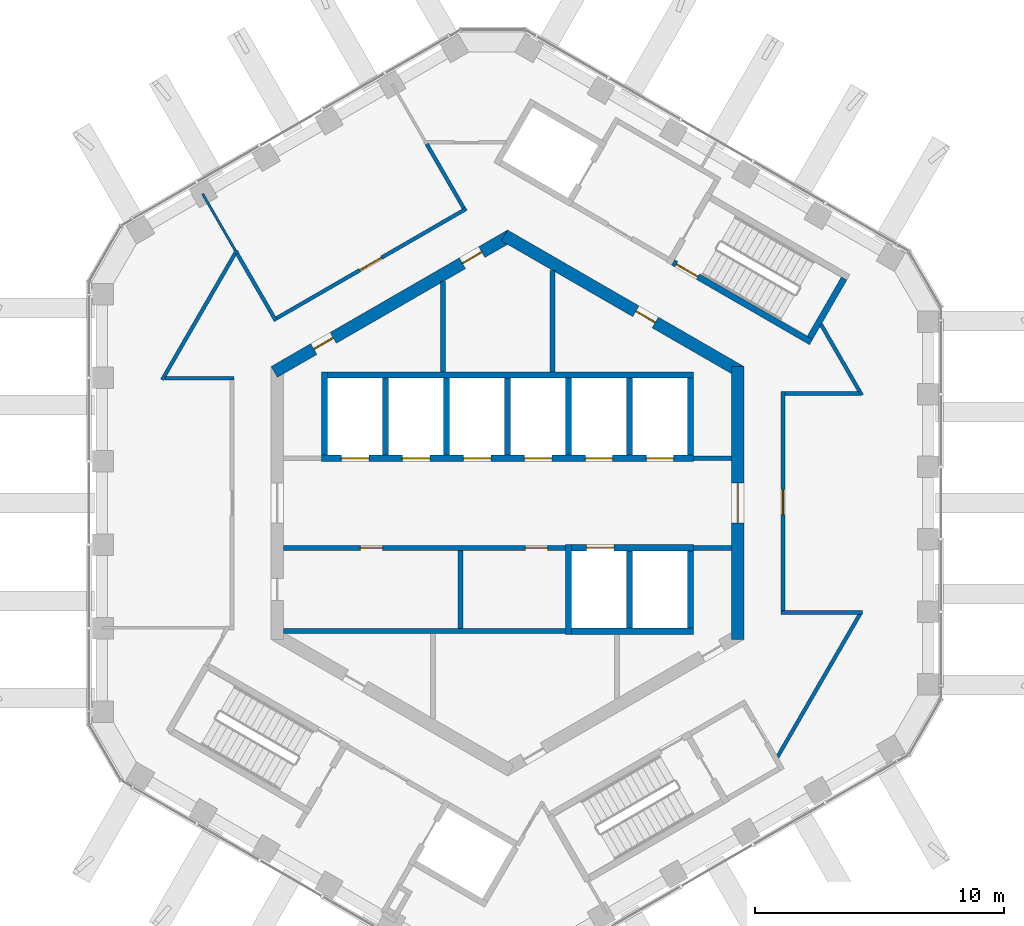
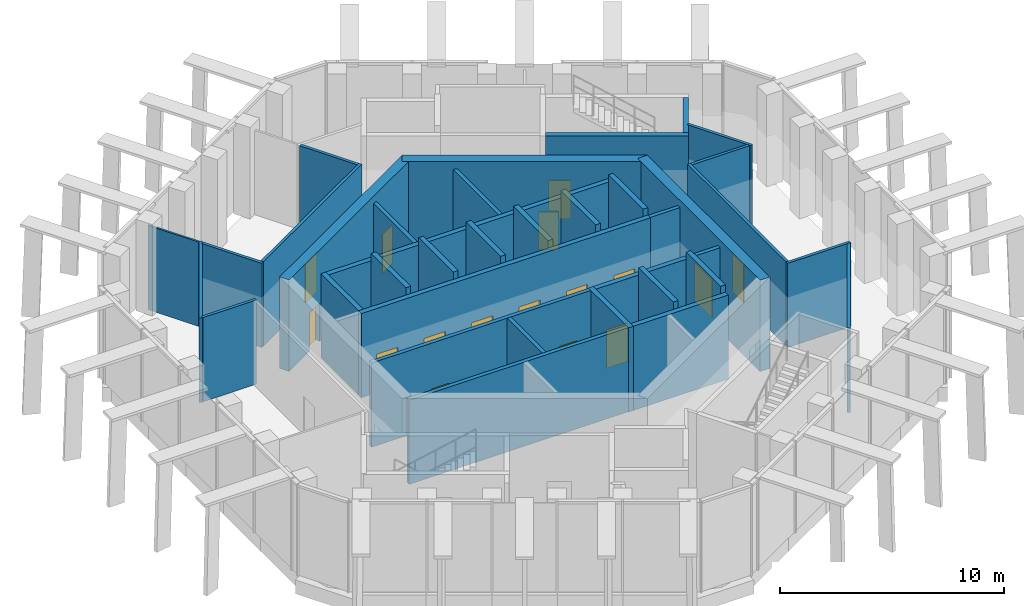
# One storey, part 12 of 17: 37 walls, 16 doors, 16 openings.
"""IFC4 building model written with IfcOpenShell, lengths in metres."""

from ifc_helpers import new_model, si_unit, direction, frame, frame_2d, origin, place, context, subcontext, project, spatial, rectangle, extrude, material, layer, layer_set, type_object, element, fill, save


model = new_model("IFC4")

# Units and contexts
model_context = context("Model", 3, precision=1e-05, world=origin(), true_north=direction((0.0, 1.0)))
body_context = subcontext(model_context, "Body", "Model", "MODEL_VIEW")
ifc_project = project(units=[si_unit("LENGTHUNIT", "METRE"), si_unit("AREAUNIT", "SQUARE_METRE"), si_unit("VOLUMEUNIT", "CUBIC_METRE"), si_unit("PLANEANGLEUNIT", "RADIAN"), si_unit("MASSUNIT", "GRAM", prefix="KILO")], contexts=[model_context])

# Site, building, storey
site_placement = place(None, origin())
site = spatial("IfcSite", under=ifc_project, at=site_placement, CompositionType="ELEMENT")
building_placement = place(site_placement, origin())
building = spatial("IfcBuilding", under=site, at=building_placement, Name="Ayvan Gate Tower", CompositionType="ELEMENT")
storey_placement = place(building_placement, frame((0.0, 0.0, 252.89990234375)))
storey = spatial("IfcBuildingStorey", under=building, at=storey_placement, Name="L68", CompositionType="ELEMENT", Elevation=252.89990234375)

# Wall, opening, door
ifc_material_1 = material(Name="Concrete C60/75", Category="concrete")
ifc_layer_1 = layer(ifc_material_1, 0.5)
ifc_layer_set_1 = layer_set([ifc_layer_1], Name="Concrete C60/75")
wall_type_1 = type_object("IfcWallType", Name="Core wall 500 C60/75", PredefinedType="SHEAR", material=ifc_layer_set_1)
wall_1_placement = place(storey_placement, frame((9.25, -5.48486328125, 0.0), z_axis=(0.0, 0.0, 1.0), x_axis=(0.0, 1.0, 0.0)))
wall_1 = element("IfcWall", 1, at=wall_1_placement, inside=storey, type_object=wall_type_1, Name="CORE-L68-0", PredefinedType="SHEAR", context=body_context, shape_type="SweptSolid", body=[
    extrude(rectangle(XDim=10.9697265625, YDim=0.5, at=frame_2d((5.48486328125, 0.0))), origin(), (0.0, 0.0, 1.0), 5.0),
])
opening_1_placement = place(wall_1_placement, frame((4.684814453125, 0.0, 0.0)))
opening_1 = element("IfcOpeningElement", 2, at=opening_1_placement, cuts=wall_1, Name="Opening L68-D34", PredefinedType="OPENING", context=body_context, shape_type="SweptSolid", body=[
    extrude(rectangle(XDim=1.60009765625, YDim=2.10009765625, at=frame_2d((0.800048828125, 1.050048828125))), frame((0.0, 0.260009765625, 0.0), z_axis=(0.0, -1.0, 0.0), x_axis=(1.0, 0.0, 0.0)), (0.0, 0.0, 1.0), 0.52001953125),
])
ifc_material_2 = material(Name="Timber door leaf", Category="wood")
door_type_1 = type_object("IfcDoorType", Name="DT-1600", OperationType="NOTDEFINED", PredefinedType="DOOR", material=ifc_material_2)
door_1_placement = place(opening_1_placement, origin())
door_1 = element("IfcDoor", 3, at=door_1_placement, inside=storey, type_object=door_type_1, Name="CD-L68-34", OperationType="SINGLE_SWING_RIGHT", OverallHeight=2.10009765625, OverallWidth=1.60009765625, PredefinedType="DOOR", context=body_context, shape_type="SweptSolid", body=[
    extrude(rectangle(XDim=1.60009765625, YDim=2.10009765625, at=frame_2d((0.800048828125, 1.050048828125))), frame((0.0, 0.02490234375, 0.0), z_axis=(0.0, -1.0, 0.0), x_axis=(1.0, 0.0, 0.0)), (0.0, 0.0, 1.0), 0.050048828125),
])
fill(opening_1, door_1)

wall_2_placement = place(storey_placement, frame((9.375, 5.268310546875, 0.0), z_axis=(0.0, 0.0, 1.0), x_axis=(-0.866023993627, 0.500002442456, 0.0)))
wall_2 = element("IfcWall", 4, at=wall_2_placement, inside=storey, type_object=wall_type_1, Name="CORE-L68-1", PredefinedType="SHEAR", context=body_context, shape_type="SweptSolid", body=[
    extrude(rectangle(XDim=10.9697265625, YDim=0.5, at=frame_2d((5.48486328125, 0.0))), origin(), (0.0, 0.0, 1.0), 5.0),
])
opening_2_placement = place(wall_2_placement, frame((3.97314453125, 0.0, 0.0)))
opening_2 = element("IfcOpeningElement", 5, at=opening_2_placement, cuts=wall_2, Name="Opening L68-D29", PredefinedType="OPENING", context=body_context, shape_type="SweptSolid", body=[
    extrude(rectangle(XDim=0.89990234375, YDim=2.10009765625, at=frame_2d((0.449951171875, 1.050048828125))), frame((0.0, 0.260009765625, 0.0), z_axis=(0.0, -1.0, 0.0), x_axis=(1.0, 0.0, 0.0)), (0.0, 0.0, 1.0), 0.52001953125),
])
door_type_2 = type_object("IfcDoorType", Name="DT-900", OperationType="NOTDEFINED", PredefinedType="DOOR", material=ifc_material_2)
door_2_placement = place(opening_2_placement, origin())
door_2 = element("IfcDoor", 6, at=door_2_placement, inside=storey, type_object=door_type_2, Name="CD-L68-29", OperationType="SINGLE_SWING_LEFT", OverallHeight=2.10009765625, OverallWidth=0.89990234375, PredefinedType="DOOR", context=body_context, shape_type="SweptSolid", body=[
    extrude(rectangle(XDim=0.89990234375, YDim=2.10009765625, at=frame_2d((0.449951171875, 1.050048828125))), frame((0.0, 0.02490234375, 0.0), z_axis=(0.0, -1.0, 0.0), x_axis=(1.0, 0.0, 0.0)), (0.0, 0.0, 1.0), 0.050048828125),
])
fill(opening_2, door_2)

# Wall, openings, doors
wall_3_placement = place(storey_placement, frame((0.125, 10.753173828125, 0.0), z_axis=(0.0, 0.0, 1.0), x_axis=(-0.866023993627, -0.500002442456, 0.0)))
wall_3 = element("IfcWall", 7, at=wall_3_placement, inside=storey, type_object=wall_type_1, Name="CORE-L68-2", PredefinedType="SHEAR", context=body_context, shape_type="SweptSolid", body=[
    extrude(rectangle(XDim=10.9697265625, YDim=0.5, at=frame_2d((5.48486328125, 0.0))), origin(), (0.0, 0.0, 1.0), 5.0),
])
opening_3_placement = place(wall_3_placement, frame((8.234619140625, 0.0, 0.0)))
opening_3 = element("IfcOpeningElement", 8, at=opening_3_placement, cuts=wall_3, Name="Opening L68-D27", PredefinedType="OPENING", context=body_context, shape_type="SweptSolid", body=[
    extrude(rectangle(XDim=0.89990234375, YDim=2.10009765625, at=frame_2d((0.449951171875, 1.050048828125))), frame((0.0, 0.260009765625, 0.0), z_axis=(0.0, -1.0, 0.0), x_axis=(1.0, 0.0, 0.0)), (0.0, 0.0, 1.0), 0.52001953125),
])
opening_4_placement = place(wall_3_placement, frame((1.34033203125, 0.0, 0.0)))
opening_4 = element("IfcOpeningElement", 9, at=opening_4_placement, cuts=wall_3, Name="Opening L68-D28", PredefinedType="OPENING", context=body_context, shape_type="SweptSolid", body=[
    extrude(rectangle(XDim=0.89990234375, YDim=2.10009765625, at=frame_2d((0.449951171875, 1.050048828125))), frame((0.0, 0.260009765625, 0.0), z_axis=(0.0, -1.0, 0.0), x_axis=(1.0, 0.0, 0.0)), (0.0, 0.0, 1.0), 0.52001953125),
])
door_3_placement = place(opening_3_placement, origin())
door_3 = element("IfcDoor", 10, at=door_3_placement, inside=storey, type_object=door_type_2, Name="CD-L68-27", OperationType="SINGLE_SWING_LEFT", OverallHeight=2.10009765625, OverallWidth=0.89990234375, PredefinedType="DOOR", context=body_context, shape_type="SweptSolid", body=[
    extrude(rectangle(XDim=0.89990234375, YDim=2.10009765625, at=frame_2d((0.449951171875, 1.050048828125))), frame((0.0, 0.02490234375, 0.0), z_axis=(0.0, -1.0, 0.0), x_axis=(1.0, 0.0, 0.0)), (0.0, 0.0, 1.0), 0.050048828125),
])
fill(opening_3, door_3)
door_4_placement = place(opening_4_placement, origin())
door_4 = element("IfcDoor", 11, at=door_4_placement, inside=storey, type_object=door_type_2, Name="CD-L68-28", OperationType="SINGLE_SWING_RIGHT", OverallHeight=2.10009765625, OverallWidth=0.89990234375, PredefinedType="DOOR", context=body_context, shape_type="SweptSolid", body=[
    extrude(rectangle(XDim=0.89990234375, YDim=2.10009765625, at=frame_2d((0.449951171875, 1.050048828125))), frame((0.0, 0.02490234375, 0.0), z_axis=(0.0, -1.0, 0.0), x_axis=(1.0, 0.0, 0.0)), (0.0, 0.0, 1.0), 0.050048828125),
])
fill(opening_4, door_4)

# Walls
ifc_material_3 = material(Name="Plasterboard on steel stud", Category="steel")
ifc_layer_2 = layer(ifc_material_3, 0.14990234375)
ifc_layer_set_2 = layer_set([ifc_layer_2], Name="Plasterboard on steel stud")
wall_type_2 = type_object("IfcWallType", Name="WT-CORR-150", PredefinedType="PARTITIONING", material=ifc_layer_set_2)
wall_4_placement = place(storey_placement, frame((-13.876708984375, 4.951416015625, 0.0), z_axis=(0.0, 0.0, 1.0), x_axis=(0.49999074569, 0.866030746697, 0.0)))
element("IfcWall", 12, at=wall_4_placement, inside=storey, type_object=wall_type_2, Name="IW-L68-000", PredefinedType="PARTITIONING", context=body_context, shape_type="SweptSolid", body=[
    extrude(rectangle(XDim=6.0126953125, YDim=0.14990234375, at=frame_2d((3.00634765625, 0.0))), origin(), (0.0, 0.0, 1.0), 4.60009765625),
])
wall_5_placement = place(storey_placement, frame((-10.9951171875, 5.016357421875, 0.0), z_axis=(0.0, 0.0, 1.0), x_axis=(-1.0, 0.0, 0.0)))
element("IfcWall", 13, at=wall_5_placement, inside=storey, type_object=wall_type_2, Name="IW-L68-008", PredefinedType="PARTITIONING", context=body_context, shape_type="SweptSolid", body=[
    extrude(rectangle(XDim=2.76904296875, YDim=0.14990234375, at=frame_2d((1.384521484375, 0.0))), origin(), (0.0, 0.0, 1.0), 4.60009765625),
])
wall_6_placement = place(storey_placement, frame((-10.870361328125, 10.02880859375, 0.0), z_axis=(0.0, 0.0, 1.0), x_axis=(0.499995170647, -0.866028191995, 0.0)))
element("IfcWall", 14, at=wall_6_placement, inside=storey, type_object=wall_type_2, Name="IW-L68-010", PredefinedType="PARTITIONING", context=body_context, shape_type="SweptSolid", body=[
    extrude(rectangle(XDim=3.12548828125, YDim=0.14990234375, at=frame_2d((1.562744140625, 0.0))), origin(), (0.0, 0.0, 1.0), 4.60009765625),
])

# Wall, opening, door
wall_7_placement = place(storey_placement, frame((-9.2802734375, 7.424560546875, 0.0), z_axis=(0.0, 0.0, 1.0), x_axis=(0.866023408847, 0.500003455318, 0.0)))
wall_7 = element("IfcWall", 15, at=wall_7_placement, inside=storey, type_object=wall_type_2, Name="IW-L68-011", PredefinedType="PARTITIONING", context=body_context, shape_type="SweptSolid", body=[
    extrude(rectangle(XDim=8.79931640625, YDim=0.14990234375, at=frame_2d((4.399658203125, 0.0))), origin(), (0.0, 0.0, 1.0), 4.60009765625),
])
opening_5_placement = place(wall_7_placement, frame((3.862060546875, 0.0, 0.0)))
opening_5 = element("IfcOpeningElement", 16, at=opening_5_placement, cuts=wall_7, Name="Opening L68-D23", PredefinedType="OPENING", context=body_context, shape_type="SweptSolid", body=[
    extrude(rectangle(XDim=1.0, YDim=2.10009765625, at=frame_2d((0.5, 1.050048828125))), frame((0.0, 0.0849609375, 0.0), z_axis=(0.0, -1.0, 0.0), x_axis=(1.0, 0.0, 0.0)), (0.0, 0.0, 1.0), 0.169921875),
])
door_type_3 = type_object("IfcDoorType", Name="DT-1000", OperationType="NOTDEFINED", PredefinedType="DOOR", material=ifc_material_2)
door_5_placement = place(opening_5_placement, origin())
door_5 = element("IfcDoor", 17, at=door_5_placement, inside=storey, type_object=door_type_3, Name="ID-L68-023", OperationType="SINGLE_SWING_LEFT", OverallHeight=2.10009765625, OverallWidth=1.0, PredefinedType="DOOR", context=body_context, shape_type="SweptSolid", body=[
    extrude(rectangle(XDim=1.0, YDim=2.10009765625, at=frame_2d((0.5, 1.050048828125))), frame((0.0, 0.02490234375, 0.0), z_axis=(0.0, -1.0, 0.0), x_axis=(1.0, 0.0, 0.0)), (0.0, 0.0, 1.0), 0.050048828125),
])
fill(opening_5, door_5)

# Walls
wall_8_placement = place(storey_placement, frame((-1.76220703125, 11.851806640625, 0.0), z_axis=(0.0, 0.0, 1.0), x_axis=(-0.50007524384, 0.865981957375, 0.0)))
element("IfcWall", 18, at=wall_8_placement, inside=storey, type_object=wall_type_2, Name="IW-L68-036", PredefinedType="PARTITIONING", context=body_context, shape_type="SweptSolid", body=[
    extrude(rectangle(XDim=2.97509765625, YDim=0.14990234375, at=frame_2d((1.487548828125, 0.0))), origin(), (0.0, 0.0, 1.0), 4.60009765625),
])
wall_9_placement = place(storey_placement, frame((10.9951171875, -4.399658203125, 0.0), z_axis=(0.0, 0.0, 1.0), x_axis=(1.0, 0.0, 0.0)))
element("IfcWall", 19, at=wall_9_placement, inside=storey, type_object=wall_type_2, Name="IW-L68-074", PredefinedType="PARTITIONING", context=body_context, shape_type="SweptSolid", body=[
    extrude(rectangle(XDim=3.275146484375, YDim=0.14990234375, at=frame_2d((1.6376953125, 0.0))), origin(), (0.0, 0.0, 1.0), 4.60009765625),
])

# Wall, opening, door
wall_10_placement = place(storey_placement, frame((11.070068359375, 4.474609375, 0.0), z_axis=(0.0, 0.0, 1.0), x_axis=(0.0, -1.0, 0.0)))
wall_10 = element("IfcWall", 20, at=wall_10_placement, inside=storey, type_object=wall_type_2, Name="IW-L68-075", PredefinedType="PARTITIONING", context=body_context, shape_type="SweptSolid", body=[
    extrude(rectangle(XDim=8.79931640625, YDim=0.14990234375, at=frame_2d((4.399658203125, 0.0))), origin(), (0.0, 0.0, 1.0), 4.60009765625),
])
opening_6_placement = place(wall_10_placement, frame((3.93701171875, 0.0, 0.0)))
opening_6 = element("IfcOpeningElement", 21, at=opening_6_placement, cuts=wall_10, Name="Opening L68-D21", PredefinedType="OPENING", context=body_context, shape_type="SweptSolid", body=[
    extrude(rectangle(XDim=1.0, YDim=2.10009765625, at=frame_2d((0.5, 1.050048828125))), frame((0.0, 0.0849609375, 0.0), z_axis=(0.0, -1.0, 0.0), x_axis=(1.0, 0.0, 0.0)), (0.0, 0.0, 1.0), 0.169921875),
])
door_6_placement = place(opening_6_placement, origin())
door_6 = element("IfcDoor", 22, at=door_6_placement, inside=storey, type_object=door_type_3, Name="ID-L68-021", OperationType="SINGLE_SWING_LEFT", OverallHeight=2.10009765625, OverallWidth=1.0, PredefinedType="DOOR", context=body_context, shape_type="SweptSolid", body=[
    extrude(rectangle(XDim=1.0, YDim=2.10009765625, at=frame_2d((0.5, 1.050048828125))), frame((0.0, 0.02490234375, 0.0), z_axis=(0.0, -1.0, 0.0), x_axis=(1.0, 0.0, 0.0)), (0.0, 0.0, 1.0), 0.050048828125),
])
fill(opening_6, door_6)

# Walls
wall_11_placement = place(storey_placement, frame((12.587158203125, 7.18505859375, 0.0), z_axis=(0.0, 0.0, 1.0), x_axis=(0.50002423369, -0.866011412005, 0.0)))
element("IfcWall", 23, at=wall_11_placement, inside=storey, type_object=wall_type_2, Name="IW-L68-077", PredefinedType="PARTITIONING", context=body_context, shape_type="SweptSolid", body=[
    extrude(rectangle(XDim=3.291259765625, YDim=0.14990234375, at=frame_2d((1.6455078125, 0.0))), origin(), (0.0, 0.0, 1.0), 4.60009765625),
])
wall_12_placement = place(storey_placement, frame((14.120361328125, 4.399658203125, 0.0), z_axis=(0.0, 0.0, 1.0), x_axis=(-1.0, 0.0, 0.0)))
element("IfcWall", 24, at=wall_12_placement, inside=storey, type_object=wall_type_2, Name="IW-L68-079", PredefinedType="PARTITIONING", context=body_context, shape_type="SweptSolid", body=[
    extrude(rectangle(XDim=2.975341796875, YDim=0.14990234375, at=frame_2d((1.48779296875, 0.0))), origin(), (0.0, 0.0, 1.0), 4.60009765625),
])
wall_13_placement = place(storey_placement, frame((14.15771484375, -4.464599609375, 0.0), z_axis=(0.0, 0.0, 1.0), x_axis=(-0.499992313652, -0.866029841454, 0.0)))
element("IfcWall", 25, at=wall_13_placement, inside=storey, type_object=wall_type_2, Name="IW-L68-080", PredefinedType="PARTITIONING", context=body_context, shape_type="SweptSolid", body=[
    extrude(rectangle(XDim=6.63037109375, YDim=0.14990234375, at=frame_2d((3.315185546875, 0.0))), origin(), (0.0, 0.0, 1.0), 4.60009765625),
])
ifc_layer_3 = layer(ifc_material_3, 0.10009765625)
ifc_layer_set_3 = layer_set([ifc_layer_3], Name="Plasterboard on steel stud")
wall_type_3 = type_object("IfcWallType", Name="WT-PART-100", PredefinedType="PARTITIONING", material=ifc_layer_set_3)
wall_14_placement = place(storey_placement, frame((-12.25390625, 12.42529296875, 0.0), z_axis=(0.0, 0.0, 1.0), x_axis=(0.49999161165, -0.866030246746, 0.0)))
element("IfcWall", 26, at=wall_14_placement, inside=storey, type_object=wall_type_3, Name="IW-L68-002", PredefinedType="PARTITIONING", context=body_context, shape_type="SweptSolid", body=[
    extrude(rectangle(XDim=2.6171875, YDim=0.10009765625, at=frame_2d((1.30859375, 0.0))), origin(), (0.0, 0.0, 1.0), 4.60009765625),
])
ifc_layer_4 = layer(ifc_material_3, 0.199951171875)
ifc_layer_set_4 = layer_set([ifc_layer_4], Name="Plasterboard on steel stud")
wall_type_4 = type_object("IfcWallType", Name="WT-RATED-200", PredefinedType="PARTITIONING", material=ifc_layer_set_4)
wall_15_placement = place(storey_placement, frame((-9.0, -5.14990234375, 0.0), z_axis=(0.0, 0.0, 1.0), x_axis=(1.0, 0.0, 0.0)))
element("IfcWall", 27, at=wall_15_placement, inside=storey, type_object=wall_type_4, Name="IW-L68-013", PredefinedType="PARTITIONING", context=body_context, shape_type="SweptSolid", body=[
    extrude(rectangle(XDim=11.3251953125, YDim=0.199951171875, at=frame_2d((5.66259765625, 0.0))), origin(), (0.0, 0.0, 1.0), 4.60009765625),
])
wall_16_placement = place(storey_placement, frame((-2.60009765625, 8.89111328125, 0.0), z_axis=(0.0, 0.0, 1.0), x_axis=(0.0, -1.0, 0.0)))
element("IfcWall", 28, at=wall_16_placement, inside=storey, type_object=wall_type_4, Name="IW-L68-030", PredefinedType="PARTITIONING", context=body_context, shape_type="SweptSolid", body=[
    extrude(rectangle(XDim=3.6162109375, YDim=0.199951171875, at=frame_2d((1.80810546875, 0.0))), origin(), (0.0, 0.0, 1.0), 4.60009765625),
])
wall_17_placement = place(storey_placement, frame((-1.89990234375, -1.89990234375, 0.0), z_axis=(0.0, 0.0, 1.0), x_axis=(0.0, -1.0, 0.0)))
element("IfcWall", 29, at=wall_17_placement, inside=storey, type_object=wall_type_4, Name="IW-L68-034", PredefinedType="PARTITIONING", context=body_context, shape_type="SweptSolid", body=[
    extrude(rectangle(XDim=3.150146484375, YDim=0.199951171875, at=frame_2d((1.5751953125, 0.0))), origin(), (0.0, 0.0, 1.0), 4.60009765625),
])

# Wall, openings, doors
wall_18_placement = place(storey_placement, frame((-9.0, -1.800048828125, 0.0), z_axis=(0.0, 0.0, 1.0), x_axis=(1.0, 0.0, 0.0)))
wall_18 = element("IfcWall", 30, at=wall_18_placement, inside=storey, type_object=wall_type_4, Name="IW-L68-035", PredefinedType="PARTITIONING", context=body_context, shape_type="SweptSolid", body=[
    extrude(rectangle(XDim=11.3251953125, YDim=0.199951171875, at=frame_2d((5.66259765625, 0.0))), origin(), (0.0, 0.0, 1.0), 4.60009765625),
])
opening_7_placement = place(wall_18_placement, frame((3.0849609375, 0.0, 0.0)))
opening_7 = element("IfcOpeningElement", 31, at=opening_7_placement, cuts=wall_18, Name="Opening L68-D08", PredefinedType="OPENING", context=body_context, shape_type="SweptSolid", body=[
    extrude(rectangle(XDim=0.89990234375, YDim=2.10009765625, at=frame_2d((0.449951171875, 1.050048828125))), frame((0.0, 0.10986328125, 0.0), z_axis=(0.0, -1.0, 0.0), x_axis=(1.0, 0.0, 0.0)), (0.0, 0.0, 1.0), 0.219970703125),
])
opening_8_placement = place(wall_18_placement, frame((9.712646484375, 0.0, 0.0)))
opening_8 = element("IfcOpeningElement", 32, at=opening_8_placement, cuts=wall_18, Name="Opening L68-D09", PredefinedType="OPENING", context=body_context, shape_type="SweptSolid", body=[
    extrude(rectangle(XDim=0.89990234375, YDim=2.10009765625, at=frame_2d((0.449951171875, 1.050048828125))), frame((0.0, 0.10986328125, 0.0), z_axis=(0.0, -1.0, 0.0), x_axis=(1.0, 0.0, 0.0)), (0.0, 0.0, 1.0), 0.219970703125),
])
door_7_placement = place(opening_7_placement, origin())
door_7 = element("IfcDoor", 33, at=door_7_placement, inside=storey, type_object=door_type_2, Name="ID-L68-008", OperationType="SINGLE_SWING_RIGHT", OverallHeight=2.10009765625, OverallWidth=0.89990234375, PredefinedType="DOOR", context=body_context, shape_type="SweptSolid", body=[
    extrude(rectangle(XDim=0.89990234375, YDim=2.10009765625, at=frame_2d((0.449951171875, 1.050048828125))), frame((0.0, 0.02490234375, 0.0), z_axis=(0.0, -1.0, 0.0), x_axis=(1.0, 0.0, 0.0)), (0.0, 0.0, 1.0), 0.050048828125),
])
fill(opening_7, door_7)
door_8_placement = place(opening_8_placement, origin())
door_8 = element("IfcDoor", 34, at=door_8_placement, inside=storey, type_object=door_type_2, Name="ID-L68-009", OperationType="SINGLE_SWING_LEFT", OverallHeight=2.10009765625, OverallWidth=0.89990234375, PredefinedType="DOOR", context=body_context, shape_type="SweptSolid", body=[
    extrude(rectangle(XDim=0.89990234375, YDim=2.10009765625, at=frame_2d((0.449951171875, 1.050048828125))), frame((0.0, 0.02490234375, 0.0), z_axis=(0.0, -1.0, 0.0), x_axis=(1.0, 0.0, 0.0)), (0.0, 0.0, 1.0), 0.050048828125),
])
fill(opening_8, door_8)

# Walls
wall_19_placement = place(storey_placement, frame((1.800048828125, 9.35302734375, 0.0), z_axis=(0.0, 0.0, 1.0), x_axis=(0.0, -1.0, 0.0)))
element("IfcWall", 35, at=wall_19_placement, inside=storey, type_object=wall_type_4, Name="IW-L68-046", PredefinedType="PARTITIONING", context=body_context, shape_type="SweptSolid", body=[
    extrude(rectangle(XDim=4.078125, YDim=0.199951171875, at=frame_2d((2.0390625, 0.0))), origin(), (0.0, 0.0, 1.0), 4.60009765625),
])
for number, where, z_axis, x_axis, name in (
    (36, (7.474853515625, 1.800048828125, 0.0), (0.0, 0.0, 1.0), (1.0, 0.0, 0.0), "IW-L68-064"),
    (37, (9.0, -1.800048828125, 0.0), (0.0, 0.0, 1.0), (-1.0, 0.0, 0.0), "IW-L68-071"),
):
    element("IfcWall", number, at=place(storey_placement, frame(where, z_axis=z_axis, x_axis=x_axis)), inside=storey, type_object=wall_type_4, Name=name, PredefinedType="PARTITIONING", context=body_context, shape_type="SweptSolid", body=[
        extrude(rectangle(XDim=1.525146484375, YDim=0.199951171875, at=frame_2d((0.7626953125, 0.0))), origin(), (0.0, 0.0, 1.0), 4.60009765625),
    ])

# Wall, openings, doors
ifc_material_4 = material(Name="Concrete C50/60", Category="concrete")
ifc_layer_5 = layer(ifc_material_4, 0.25)
ifc_layer_set_5 = layer_set([ifc_layer_5], Name="Concrete C50/60")
wall_type_5 = type_object("IfcWallType", Name="WT-RC-250", PredefinedType="SHEAR", material=ifc_layer_set_5)
wall_20_placement = place(storey_placement, frame((-7.47509765625, 1.800048828125, 0.0), z_axis=(0.0, 0.0, 1.0), x_axis=(1.0, 0.0, 0.0)))
wall_20 = element("IfcWall", 38, at=wall_20_placement, inside=storey, type_object=wall_type_5, Name="IW-L68-016", PredefinedType="SHEAR", context=body_context, shape_type="SweptSolid", body=[
    extrude(rectangle(XDim=14.9501953125, YDim=0.25, at=frame_2d((7.47509765625, 0.0))), origin(), (0.0, 0.0, 1.0), 4.60009765625),
])
opening_9_placement = place(wall_20_placement, frame((0.800048828125, 0.0, 0.0)))
opening_9 = element("IfcOpeningElement", 39, at=opening_9_placement, cuts=wall_20, Name="Opening L68-LD-HR1", PredefinedType="OPENING", context=body_context, shape_type="SweptSolid", body=[
    extrude(rectangle(XDim=1.10009765625, YDim=2.10009765625, at=frame_2d((0.550048828125, 1.050048828125))), frame((0.0, 0.135009765625, 0.0), z_axis=(0.0, -1.0, 0.0), x_axis=(1.0, 0.0, 0.0)), (0.0, 0.0, 1.0), 0.27001953125),
])
opening_10_placement = place(wall_20_placement, frame((3.25, 0.0, 0.0)))
opening_10 = element("IfcOpeningElement", 40, at=opening_10_placement, cuts=wall_20, Name="Opening L68-LD-HR2", PredefinedType="OPENING", context=body_context, shape_type="SweptSolid", body=[
    extrude(rectangle(XDim=1.10009765625, YDim=2.10009765625, at=frame_2d((0.550048828125, 1.050048828125))), frame((0.0, 0.135009765625, 0.0), z_axis=(0.0, -1.0, 0.0), x_axis=(1.0, 0.0, 0.0)), (0.0, 0.0, 1.0), 0.27001953125),
])
opening_11_placement = place(wall_20_placement, frame((5.7001953125, 0.0, 0.0)))
opening_11 = element("IfcOpeningElement", 41, at=opening_11_placement, cuts=wall_20, Name="Opening L68-LD-HR3", PredefinedType="OPENING", context=body_context, shape_type="SweptSolid", body=[
    extrude(rectangle(XDim=1.10009765625, YDim=2.10009765625, at=frame_2d((0.550048828125, 1.050048828125))), frame((0.0, 0.135009765625, 0.0), z_axis=(0.0, -1.0, 0.0), x_axis=(1.0, 0.0, 0.0)), (0.0, 0.0, 1.0), 0.27001953125),
])
opening_12_placement = place(wall_20_placement, frame((8.150146484375, 0.0, 0.0)))
opening_12 = element("IfcOpeningElement", 42, at=opening_12_placement, cuts=wall_20, Name="Opening L68-LD-HR4", PredefinedType="OPENING", context=body_context, shape_type="SweptSolid", body=[
    extrude(rectangle(XDim=1.10009765625, YDim=2.10009765625, at=frame_2d((0.550048828125, 1.050048828125))), frame((0.0, 0.135009765625, 0.0), z_axis=(0.0, -1.0, 0.0), x_axis=(1.0, 0.0, 0.0)), (0.0, 0.0, 1.0), 0.27001953125),
])
opening_13_placement = place(wall_20_placement, frame((10.60009765625, 0.0, 0.0)))
opening_13 = element("IfcOpeningElement", 43, at=opening_13_placement, cuts=wall_20, Name="Opening L68-LD-HR5", PredefinedType="OPENING", context=body_context, shape_type="SweptSolid", body=[
    extrude(rectangle(XDim=1.10009765625, YDim=2.10009765625, at=frame_2d((0.550048828125, 1.050048828125))), frame((0.0, 0.135009765625, 0.0), z_axis=(0.0, -1.0, 0.0), x_axis=(1.0, 0.0, 0.0)), (0.0, 0.0, 1.0), 0.27001953125),
])
opening_14_placement = place(wall_20_placement, frame((13.050048828125, 0.0, 0.0)))
opening_14 = element("IfcOpeningElement", 44, at=opening_14_placement, cuts=wall_20, Name="Opening L68-LD-HR6", PredefinedType="OPENING", context=body_context, shape_type="SweptSolid", body=[
    extrude(rectangle(XDim=1.10009765625, YDim=2.10009765625, at=frame_2d((0.550048828125, 1.050048828125))), frame((0.0, 0.135009765625, 0.0), z_axis=(0.0, -1.0, 0.0), x_axis=(1.0, 0.0, 0.0)), (0.0, 0.0, 1.0), 0.27001953125),
])
ifc_material_5 = material(Name="Stainless steel landing door", Category="steel")
door_type_4 = type_object("IfcDoorType", Name="DT-LANDING-1100", OperationType="SLIDING_TO_LEFT", PredefinedType="DOOR", material=ifc_material_5)
door_9_placement = place(opening_9_placement, origin())
door_9 = element("IfcDoor", 45, at=door_9_placement, inside=storey, type_object=door_type_4, Name="ID-L68-001", OperationType="SLIDING_TO_LEFT", OverallHeight=2.10009765625, OverallWidth=1.10009765625, PredefinedType="DOOR", context=body_context, shape_type="SweptSolid", body=[
    extrude(rectangle(XDim=1.10009765625, YDim=2.10009765625, at=frame_2d((0.550048828125, 1.050048828125))), frame((0.0, 0.02490234375, 0.0), z_axis=(0.0, -1.0, 0.0), x_axis=(1.0, 0.0, 0.0)), (0.0, 0.0, 1.0), 0.050048828125),
])
fill(opening_9, door_9)
door_10_placement = place(opening_10_placement, origin())
door_10 = element("IfcDoor", 46, at=door_10_placement, inside=storey, type_object=door_type_4, Name="ID-L68-002", OperationType="SLIDING_TO_LEFT", OverallHeight=2.10009765625, OverallWidth=1.10009765625, PredefinedType="DOOR", context=body_context, shape_type="SweptSolid", body=[
    extrude(rectangle(XDim=1.10009765625, YDim=2.10009765625, at=frame_2d((0.550048828125, 1.050048828125))), frame((0.0, 0.02490234375, 0.0), z_axis=(0.0, -1.0, 0.0), x_axis=(1.0, 0.0, 0.0)), (0.0, 0.0, 1.0), 0.050048828125),
])
fill(opening_10, door_10)
door_11_placement = place(opening_11_placement, origin())
door_11 = element("IfcDoor", 47, at=door_11_placement, inside=storey, type_object=door_type_4, Name="ID-L68-003", OperationType="SLIDING_TO_LEFT", OverallHeight=2.10009765625, OverallWidth=1.10009765625, PredefinedType="DOOR", context=body_context, shape_type="SweptSolid", body=[
    extrude(rectangle(XDim=1.10009765625, YDim=2.10009765625, at=frame_2d((0.550048828125, 1.050048828125))), frame((0.0, 0.02490234375, 0.0), z_axis=(0.0, -1.0, 0.0), x_axis=(1.0, 0.0, 0.0)), (0.0, 0.0, 1.0), 0.050048828125),
])
fill(opening_11, door_11)
door_12_placement = place(opening_12_placement, origin())
door_12 = element("IfcDoor", 48, at=door_12_placement, inside=storey, type_object=door_type_4, Name="ID-L68-004", OperationType="SLIDING_TO_LEFT", OverallHeight=2.10009765625, OverallWidth=1.10009765625, PredefinedType="DOOR", context=body_context, shape_type="SweptSolid", body=[
    extrude(rectangle(XDim=1.10009765625, YDim=2.10009765625, at=frame_2d((0.550048828125, 1.050048828125))), frame((0.0, 0.02490234375, 0.0), z_axis=(0.0, -1.0, 0.0), x_axis=(1.0, 0.0, 0.0)), (0.0, 0.0, 1.0), 0.050048828125),
])
fill(opening_12, door_12)
door_13_placement = place(opening_13_placement, origin())
door_13 = element("IfcDoor", 49, at=door_13_placement, inside=storey, type_object=door_type_4, Name="ID-L68-005", OperationType="SLIDING_TO_LEFT", OverallHeight=2.10009765625, OverallWidth=1.10009765625, PredefinedType="DOOR", context=body_context, shape_type="SweptSolid", body=[
    extrude(rectangle(XDim=1.10009765625, YDim=2.10009765625, at=frame_2d((0.550048828125, 1.050048828125))), frame((0.0, 0.02490234375, 0.0), z_axis=(0.0, -1.0, 0.0), x_axis=(1.0, 0.0, 0.0)), (0.0, 0.0, 1.0), 0.050048828125),
])
fill(opening_13, door_13)
door_14_placement = place(opening_14_placement, origin())
door_14 = element("IfcDoor", 50, at=door_14_placement, inside=storey, type_object=door_type_4, Name="ID-L68-006", OperationType="SLIDING_TO_LEFT", OverallHeight=2.10009765625, OverallWidth=1.10009765625, PredefinedType="DOOR", context=body_context, shape_type="SweptSolid", body=[
    extrude(rectangle(XDim=1.10009765625, YDim=2.10009765625, at=frame_2d((0.550048828125, 1.050048828125))), frame((0.0, 0.02490234375, 0.0), z_axis=(0.0, -1.0, 0.0), x_axis=(1.0, 0.0, 0.0)), (0.0, 0.0, 1.0), 0.050048828125),
])
fill(opening_14, door_14)

# Walls
wall_21_placement = place(storey_placement, frame((-7.35009765625, 1.925048828125, 0.0), z_axis=(0.0, 0.0, 1.0), x_axis=(0.0, 1.0, 0.0)))
element("IfcWall", 51, at=wall_21_placement, inside=storey, type_object=wall_type_5, Name="IW-L68-017", PredefinedType="SHEAR", context=body_context, shape_type="SweptSolid", body=[
    extrude(rectangle(XDim=3.349853515625, YDim=0.25, at=frame_2d((1.6748046875, 0.0))), origin(), (0.0, 0.0, 1.0), 4.60009765625),
])
wall_22_placement = place(storey_placement, frame((-7.22509765625, 5.14990234375, 0.0), z_axis=(0.0, 0.0, 1.0), x_axis=(1.0, 0.0, 0.0)))
element("IfcWall", 52, at=wall_22_placement, inside=storey, type_object=wall_type_5, Name="IW-L68-018", PredefinedType="SHEAR", context=body_context, shape_type="SweptSolid", body=[
    extrude(rectangle(XDim=14.7001953125, YDim=0.25, at=frame_2d((7.35009765625, 0.0))), origin(), (0.0, 0.0, 1.0), 4.60009765625),
])
for number, where, z_axis, x_axis, name in (
    (53, (-4.89990234375, 5.02490234375, 0.0), (0.0, 0.0, 1.0), (0.0, -1.0, 0.0), "IW-L68-022"),
    (54, (-2.449951171875, 5.02490234375, 0.0), (0.0, 0.0, 1.0), (0.0, -1.0, 0.0), "IW-L68-033"),
    (55, (0.0, 5.02490234375, 0.0), (0.0, 0.0, 1.0), (0.0, -1.0, 0.0), "IW-L68-039"),
):
    element("IfcWall", number, at=place(storey_placement, frame(where, z_axis=z_axis, x_axis=x_axis)), inside=storey, type_object=wall_type_5, Name=name, PredefinedType="SHEAR", context=body_context, shape_type="SweptSolid", body=[
        extrude(rectangle(XDim=3.099853515625, YDim=0.25, at=frame_2d((1.5498046875, 0.0))), origin(), (0.0, 0.0, 1.0), 5.0),
    ])
wall_23_placement = place(storey_placement, frame((2.449951171875, -5.27490234375, 0.0), z_axis=(0.0, 0.0, 1.0), x_axis=(0.0, 1.0, 0.0)))
element("IfcWall", 56, at=wall_23_placement, inside=storey, type_object=wall_type_5, Name="IW-L68-047", PredefinedType="SHEAR", context=body_context, shape_type="SweptSolid", body=[
    extrude(rectangle(XDim=3.599853515625, YDim=0.25, at=frame_2d((1.7998046875, 0.0))), origin(), (0.0, 0.0, 1.0), 4.60009765625),
])
wall_24_placement = place(storey_placement, frame((2.449951171875, 5.02490234375, 0.0), z_axis=(0.0, 0.0, 1.0), x_axis=(0.0, -1.0, 0.0)))
element("IfcWall", 57, at=wall_24_placement, inside=storey, type_object=wall_type_5, Name="IW-L68-048", PredefinedType="SHEAR", context=body_context, shape_type="SweptSolid", body=[
    extrude(rectangle(XDim=3.099853515625, YDim=0.25, at=frame_2d((1.5498046875, 0.0))), origin(), (0.0, 0.0, 1.0), 5.0),
])
wall_25_placement = place(storey_placement, frame((2.574951171875, -5.14990234375, 0.0), z_axis=(0.0, 0.0, 1.0), x_axis=(1.0, 0.0, 0.0)))
element("IfcWall", 58, at=wall_25_placement, inside=storey, type_object=wall_type_5, Name="IW-L68-056", PredefinedType="SHEAR", context=body_context, shape_type="SweptSolid", body=[
    extrude(rectangle(XDim=4.900146484375, YDim=0.25, at=frame_2d((2.4501953125, 0.0))), origin(), (0.0, 0.0, 1.0), 4.60009765625),
])
for number, where, z_axis, x_axis, name in (
    (59, (4.89990234375, -1.925048828125, 0.0), (0.0, 0.0, 1.0), (0.0, -1.0, 0.0), "IW-L68-057"),
    (60, (4.89990234375, 5.02490234375, 0.0), (0.0, 0.0, 1.0), (0.0, -1.0, 0.0), "IW-L68-058"),
):
    element("IfcWall", number, at=place(storey_placement, frame(where, z_axis=z_axis, x_axis=x_axis)), inside=storey, type_object=wall_type_5, Name=name, PredefinedType="SHEAR", context=body_context, shape_type="SweptSolid", body=[
        extrude(rectangle(XDim=3.099853515625, YDim=0.25, at=frame_2d((1.5498046875, 0.0))), origin(), (0.0, 0.0, 1.0), 5.0),
    ])

# Wall, opening, door
wall_26_placement = place(storey_placement, frame((2.574951171875, -1.800048828125, 0.0), z_axis=(0.0, 0.0, 1.0), x_axis=(1.0, 0.0, 0.0)))
wall_26 = element("IfcWall", 61, at=wall_26_placement, inside=storey, type_object=wall_type_5, Name="IW-L68-059", PredefinedType="SHEAR", context=body_context, shape_type="SweptSolid", body=[
    extrude(rectangle(XDim=4.900146484375, YDim=0.25, at=frame_2d((2.4501953125, 0.0))), origin(), (0.0, 0.0, 1.0), 4.60009765625),
])
opening_15_placement = place(wall_26_placement, frame((0.597412109375, 0.0, 0.0)))
opening_15 = element("IfcOpeningElement", 62, at=opening_15_placement, cuts=wall_26, Name="Opening L68-LD-SV", PredefinedType="OPENING", context=body_context, shape_type="SweptSolid", body=[
    extrude(rectangle(XDim=1.10009765625, YDim=2.10009765625, at=frame_2d((0.550048828125, 1.050048828125))), frame((0.0, 0.135009765625, 0.0), z_axis=(0.0, -1.0, 0.0), x_axis=(1.0, 0.0, 0.0)), (0.0, 0.0, 1.0), 0.27001953125),
])
door_15_placement = place(opening_15_placement, origin())
door_15 = element("IfcDoor", 63, at=door_15_placement, inside=storey, type_object=door_type_4, Name="ID-L68-007", OperationType="SLIDING_TO_LEFT", OverallHeight=2.10009765625, OverallWidth=1.10009765625, PredefinedType="DOOR", context=body_context, shape_type="SweptSolid", body=[
    extrude(rectangle(XDim=1.10009765625, YDim=2.10009765625, at=frame_2d((0.550048828125, 1.050048828125))), frame((0.0, 0.02490234375, 0.0), z_axis=(0.0, -1.0, 0.0), x_axis=(1.0, 0.0, 0.0)), (0.0, 0.0, 1.0), 0.050048828125),
])
fill(opening_15, door_15)

# Walls
for number, where, z_axis, x_axis, name in (
    (64, (7.35009765625, -1.925048828125, 0.0), (0.0, 0.0, 1.0), (0.0, -1.0, 0.0), "IW-L68-065"),
    (65, (7.35009765625, 5.02490234375, 0.0), (0.0, 0.0, 1.0), (0.0, -1.0, 0.0), "IW-L68-066"),
):
    element("IfcWall", number, at=place(storey_placement, frame(where, z_axis=z_axis, x_axis=x_axis)), inside=storey, type_object=wall_type_5, Name=name, PredefinedType="SHEAR", context=body_context, shape_type="SweptSolid", body=[
        extrude(rectangle(XDim=3.099853515625, YDim=0.25, at=frame_2d((1.5498046875, 0.0))), origin(), (0.0, 0.0, 1.0), 5.0),
    ])

# Wall, opening, door
wall_27_placement = place(storey_placement, frame((12.193603515625, 6.469970703125, 0.0), z_axis=(0.0, 0.0, 1.0), x_axis=(-0.866025499775, 0.499999833739, 0.0)))
wall_27 = element("IfcWall", 66, at=wall_27_placement, inside=storey, type_object=wall_type_5, Name="IW-L68-076", PredefinedType="SHEAR", context=body_context, shape_type="SweptSolid", body=[
    extrude(rectangle(XDim=6.39990234375, YDim=0.25, at=frame_2d((3.199951171875, 0.0))), origin(), (0.0, 0.0, 1.0), 4.60009765625),
])
opening_16_placement = place(wall_27_placement, frame((5.25, 0.0, 0.0)))
opening_16 = element("IfcOpeningElement", 67, at=opening_16_placement, cuts=wall_27, Name="Opening L68-D10", PredefinedType="OPENING", context=body_context, shape_type="SweptSolid", body=[
    extrude(rectangle(XDim=1.0, YDim=2.10009765625, at=frame_2d((0.5, 1.050048828125))), frame((0.0, 0.135009765625, 0.0), z_axis=(0.0, -1.0, 0.0), x_axis=(1.0, 0.0, 0.0)), (0.0, 0.0, 1.0), 0.27001953125),
])
door_16_placement = place(opening_16_placement, origin())
door_16 = element("IfcDoor", 68, at=door_16_placement, inside=storey, type_object=door_type_3, Name="ID-L68-010", OperationType="SINGLE_SWING_RIGHT", OverallHeight=2.10009765625, OverallWidth=1.0, PredefinedType="DOOR", context=body_context, shape_type="SweptSolid", body=[
    extrude(rectangle(XDim=1.0, YDim=2.10009765625, at=frame_2d((0.5, 1.050048828125))), frame((0.0, 0.02490234375, 0.0), z_axis=(0.0, -1.0, 0.0), x_axis=(1.0, 0.0, 0.0)), (0.0, 0.0, 1.0), 0.050048828125),
])
fill(opening_16, door_16)

# Wall
wall_28_placement = place(storey_placement, frame((12.14794921875, 6.640869140625, 0.0), z_axis=(0.0, 0.0, 1.0), x_axis=(0.500034990121, 0.866005201286, 0.0)))
element("IfcWall", 69, at=wall_28_placement, inside=storey, type_object=wall_type_5, Name="IW-L68-078", PredefinedType="SHEAR", context=body_context, shape_type="SweptSolid", body=[
    extrude(rectangle(XDim=2.749755859375, YDim=0.25, at=frame_2d((1.375, 0.0))), origin(), (0.0, 0.0, 1.0), 4.60009765625),
])

save(model, "model.ifc")
